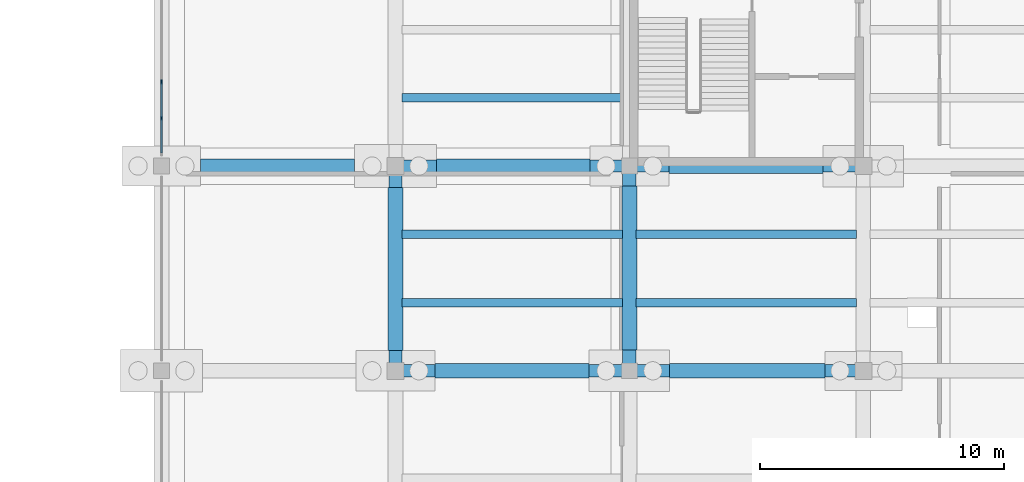
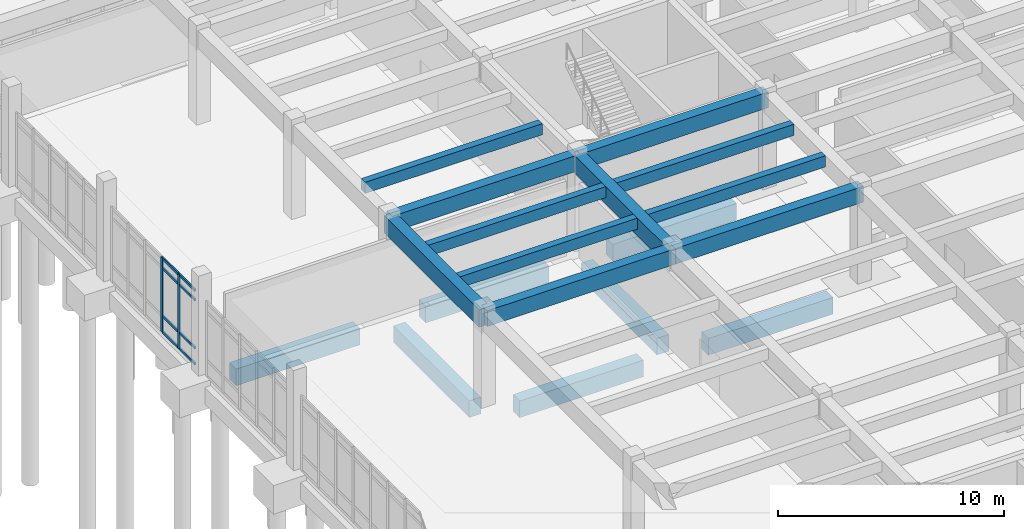
# One storey, part 46 of 102: 18 beams, 10 members, 1 element without a shape of its own.
"""IFC4 building model written with IfcOpenShell, lengths in metres."""

from ifc_helpers import new_model, si_unit, direction, frame, origin, origin_2d, place, context, subcontext, project, spatial, rectangle, extrude, material, layer, layer_set, material_profile, profile_set, type_object, element, aggregate, save


model = new_model("IFC4")

# Units and contexts
model_context = context("Model", 3, precision=1e-05, world=origin(), true_north=direction((0.0, 1.0)))
body_context = subcontext(model_context, "Body", "Model", "MODEL_VIEW")
ifc_project = project(units=[si_unit("LENGTHUNIT", "METRE"), si_unit("AREAUNIT", "SQUARE_METRE"), si_unit("VOLUMEUNIT", "CUBIC_METRE"), si_unit("PLANEANGLEUNIT", "RADIAN"), si_unit("MASSUNIT", "GRAM", prefix="KILO")], contexts=[model_context])

# Site, building, storey
site_placement = place(None, origin())
site = spatial("IfcSite", under=ifc_project, at=site_placement, CompositionType="ELEMENT")
building_placement = place(site_placement, origin())
building = spatial("IfcBuilding", under=site, at=building_placement, Name="Kolvemor Railside Polytechnic", CompositionType="ELEMENT")
storey_placement = place(building_placement, origin())
storey = spatial("IfcBuildingStorey", under=building, at=storey_placement, Name="L00", CompositionType="ELEMENT", Elevation=0.0)

# Beams
ifc_material_1 = material(Name="Concrete C40/50", Category="concrete")
ifc_material_profile_1 = material_profile(ifc_material_1, rectangle(XDim=0.550048828125, YDim=0.949951171875, at=origin_2d()), Name="RC550x950")
ifc_profile_set_1 = profile_set([ifc_material_profile_1], Name="Concrete C40/50")
beam_type_1 = type_object("IfcBeamType", Name="BM-RC-GIRD", PredefinedType="BEAM", material=ifc_profile_set_1)
for number, where, z_axis, x_axis, name in (
    (1, (144.0, 51.60009765625, 4.635009765625), (0.0, 1.0, 0.0), (-1.0, 0.0, 0.0), "Primary Girder L01-GY 0383"),
    (2, (153.60009765625, 51.60009765625, 4.635009765625), (0.0, 1.0, 0.0), (-1.0, 0.0, 0.0), "Primary Girder L01-GY 0392"),
):
    element("IfcBeam", number, at=place(storey_placement, frame(where, z_axis=z_axis, x_axis=x_axis)), inside=storey, type_object=beam_type_1, Name=name, PredefinedType="BEAM", context=body_context, shape_type="SweptSolid", body=[
        extrude(rectangle(XDim=0.550048828125, YDim=0.949951171875, at=origin_2d()), origin(), (0.0, 0.0, 1.0), 8.39990234375),
    ])
ifc_material_2 = material(Name="Concrete C40/50", Category="concrete")
ifc_material_profile_2 = material_profile(ifc_material_2, rectangle(XDim=0.5, YDim=0.85009765625, at=origin_2d()), Name="RC500x850")
ifc_profile_set_2 = profile_set([ifc_material_profile_2], Name="Concrete C40/50")
beam_type_2 = type_object("IfcBeamType", Name="BM-RC-GIRD3", PredefinedType="BEAM", material=ifc_profile_set_2)
beam_1_placement = place(storey_placement, frame((144.0, 51.60009765625, 4.68505859375), z_axis=(1.0, 0.0, 0.0), x_axis=(0.0, 1.0, 0.0)))
element("IfcBeam", 3, at=beam_1_placement, inside=storey, type_object=beam_type_2, Name="Primary Girder L01-GX 0358", PredefinedType="BEAM", context=body_context, shape_type="SweptSolid", body=[
    extrude(rectangle(XDim=0.5, YDim=0.85009765625, at=origin_2d()), origin(), (0.0, 0.0, 1.0), 9.60009765625),
])
beam_2_placement = place(storey_placement, frame((153.60009765625, 51.60009765625, 4.68505859375), z_axis=(1.0, 0.0, 0.0), x_axis=(0.0, 1.0, 0.0)))
element("IfcBeam", 4, at=beam_2_placement, inside=storey, type_object=beam_type_2, Name="Primary Girder L01-GX 0359", PredefinedType="BEAM", context=body_context, shape_type="SweptSolid", body=[
    extrude(rectangle(XDim=0.5, YDim=0.85009765625, at=origin_2d()), origin(), (0.0, 0.0, 1.0), 9.599853515625),
])
beam_3_placement = place(storey_placement, frame((144.0, 60.0, 4.68505859375), z_axis=(1.0, 0.0, 0.0), x_axis=(0.0, 1.0, 0.0)))
element("IfcBeam", 5, at=beam_3_placement, inside=storey, type_object=beam_type_2, Name="Primary Girder L01-GX 0362", PredefinedType="BEAM", context=body_context, shape_type="SweptSolid", body=[
    extrude(rectangle(XDim=0.5, YDim=0.85009765625, at=origin_2d()), origin(), (0.0, 0.0, 1.0), 9.60009765625),
])
beam_4_placement = place(storey_placement, frame((153.60009765625, 60.0, 4.68505859375), z_axis=(1.0, 0.0, 0.0), x_axis=(0.0, 1.0, 0.0)))
element("IfcBeam", 6, at=beam_4_placement, inside=storey, type_object=beam_type_2, Name="Primary Girder L01-GX 0363", PredefinedType="BEAM", context=body_context, shape_type="SweptSolid", body=[
    extrude(rectangle(XDim=0.5, YDim=0.85009765625, at=origin_2d()), origin(), (0.0, 0.0, 1.0), 9.599853515625),
])
ifc_material_3 = material(Name="Concrete C40/50", Category="concrete")
ifc_material_profile_3 = material_profile(ifc_material_3, rectangle(XDim=0.35009765625, YDim=0.60009765625, at=origin_2d()), Name="RC350x600")
ifc_profile_set_3 = profile_set([ifc_material_profile_3], Name="Concrete C40/50")
beam_type_3 = type_object("IfcBeamType", Name="BM-RC-SEC3", PredefinedType="JOIST", material=ifc_profile_set_3)
for number, where, z_axis, x_axis, name in (
    (7, (144.27490234375, 54.39990234375, 4.81005859375), (1.0, 0.0, 0.0), (0.0, 1.0, 0.0), "Floor Joist L01-J0433"),
    (8, (144.27490234375, 57.199951171875, 4.81005859375), (1.0, 0.0, 0.0), (0.0, 1.0, 0.0), "Floor Joist L01-J0434"),
    (9, (144.27490234375, 62.800048828125, 4.81005859375), (1.0, 0.0, 0.0), (0.0, 1.0, 0.0), "Floor Joist L01-J0435"),
    (10, (153.875, 54.39990234375, 4.81005859375), (1.0, 0.0, 0.0), (0.0, 1.0, 0.0), "Floor Joist L01-J0449"),
    (11, (153.875, 57.199951171875, 4.81005859375), (1.0, 0.0, 0.0), (0.0, 1.0, 0.0), "Floor Joist L01-J0450"),
):
    element("IfcBeam", number, at=place(storey_placement, frame(where, z_axis=z_axis, x_axis=x_axis)), inside=storey, type_object=beam_type_3, Name=name, PredefinedType="JOIST", context=body_context, shape_type="SweptSolid", body=[
        extrude(rectangle(XDim=0.35009765625, YDim=0.60009765625, at=origin_2d()), origin(), (0.0, 0.0, 1.0), 9.050048828125),
    ])
ifc_material_4 = material(Name="Concrete C40/50", Category="concrete")
ifc_material_profile_4 = material_profile(ifc_material_4, rectangle(XDim=0.60009765625, YDim=0.89990234375, at=origin_2d()), Name="RC600x900")
ifc_profile_set_4 = profile_set([ifc_material_profile_4], Name="Concrete C40/50")
beam_type_4 = type_object("IfcBeamType", Name="BM-RC-TIE", PredefinedType="BEAM", material=ifc_profile_set_4)
beam_5_placement = place(storey_placement, frame((145.626953125, 51.60009765625, -0.75), z_axis=(1.0, 0.0, 0.0), x_axis=(0.0, 1.0, 0.0)))
element("IfcBeam", 12, at=beam_5_placement, inside=storey, type_object=beam_type_4, Name="Ground Tie Beam GTB-X141", PredefinedType="BEAM", context=body_context, shape_type="SweptSolid", body=[
    extrude(rectangle(XDim=0.60009765625, YDim=0.89990234375, at=origin_2d()), origin(), (0.0, 0.0, 1.0), 6.321044921875),
])
beam_6_placement = place(storey_placement, frame((155.251953125, 51.60009765625, -0.75), z_axis=(1.0, 0.0, 0.0), x_axis=(0.0, 1.0, 0.0)))
element("IfcBeam", 13, at=beam_6_placement, inside=storey, type_object=beam_type_4, Name="Ground Tie Beam GTB-X142", PredefinedType="BEAM", context=body_context, shape_type="SweptSolid", body=[
    extrude(rectangle(XDim=0.60009765625, YDim=0.89990234375, at=origin_2d()), origin(), (0.0, 0.0, 1.0), 6.37109375),
])
beam_7_placement = place(storey_placement, frame((136.001953125, 60.0, -0.75), z_axis=(1.0, 0.0, 0.0), x_axis=(0.0, 1.0, 0.0)))
element("IfcBeam", 14, at=beam_7_placement, inside=storey, type_object=beam_type_4, Name="Ground Tie Beam GTB-X150", PredefinedType="BEAM", context=body_context, shape_type="SweptSolid", body=[
    extrude(rectangle(XDim=0.60009765625, YDim=0.89990234375, at=origin_2d()), origin(), (0.0, 0.0, 1.0), 6.321044921875),
])
beam_8_placement = place(storey_placement, frame((145.677001953125, 60.0, -0.75), z_axis=(1.0, 0.0, 0.0), x_axis=(0.0, 1.0, 0.0)))
element("IfcBeam", 15, at=beam_8_placement, inside=storey, type_object=beam_type_4, Name="Ground Tie Beam GTB-X151", PredefinedType="BEAM", context=body_context, shape_type="SweptSolid", body=[
    extrude(rectangle(XDim=0.60009765625, YDim=0.89990234375, at=origin_2d()), origin(), (0.0, 0.0, 1.0), 6.2958984375),
])
beam_9_placement = place(storey_placement, frame((155.22705078125, 60.0, -0.75), z_axis=(1.0, 0.0, 0.0), x_axis=(0.0, 1.0, 0.0)))
element("IfcBeam", 16, at=beam_9_placement, inside=storey, type_object=beam_type_4, Name="Ground Tie Beam GTB-X152", PredefinedType="BEAM", context=body_context, shape_type="SweptSolid", body=[
    extrude(rectangle(XDim=0.60009765625, YDim=0.89990234375, at=origin_2d()), origin(), (0.0, 0.0, 1.0), 6.321044921875),
])
beam_10_placement = place(storey_placement, frame((144.0, 52.427001953125, -0.75), z_axis=(0.0, 1.0, 0.0), x_axis=(-1.0, 0.0, 0.0)))
element("IfcBeam", 17, at=beam_10_placement, inside=storey, type_object=beam_type_4, Name="Ground Tie Beam GTB-Y397", PredefinedType="BEAM", context=body_context, shape_type="SweptSolid", body=[
    extrude(rectangle(XDim=0.60009765625, YDim=0.89990234375, at=origin_2d()), origin(), (0.0, 0.0, 1.0), 6.696044921875),
])
beam_11_placement = place(storey_placement, frame((153.60009765625, 52.451904296875, -0.75), z_axis=(0.0, 1.0, 0.0), x_axis=(-1.0, 0.0, 0.0)))
element("IfcBeam", 18, at=beam_11_placement, inside=storey, type_object=beam_type_4, Name="Ground Tie Beam GTB-Y410", PredefinedType="BEAM", context=body_context, shape_type="SweptSolid", body=[
    extrude(rectangle(XDim=0.60009765625, YDim=0.89990234375, at=origin_2d()), origin(), (0.0, 0.0, 1.0), 6.72119140625),
])

# Curtain wall, members
ifc_material_5 = material(Name="Anodised marine aluminium and laminated low-E glass", Category="aluminium")
ifc_layer = layer(ifc_material_5, 0.179931640625, Name="CW-UNIT-STD")
ifc_layer_set = layer_set([ifc_layer], Name="Anodised marine aluminium and laminated low-E glass")
curtain_wall_type = type_object("IfcCurtainWallType", Name="CW-UNIT-STD", PredefinedType="USERDEFINED", material=ifc_layer_set)
curtain_wall_placement = place(storey_placement, origin())
curtain_wall = element("IfcCurtainWall", 19, at=curtain_wall_placement, inside=storey, type_object=curtain_wall_type, Name="Curtain Wall L00-079", ObjectType="UNITISED CURTAIN WALL", PredefinedType="USERDEFINED")
ifc_material_6 = material(Name="Anodised marine aluminium 6063-T6", Category="aluminium")
ifc_material_profile_5 = material_profile(ifc_material_6, rectangle(XDim=0.074951171875, YDim=0.179931640625, at=origin_2d()), Name="CW-MUL-75x180")
ifc_profile_set_5 = profile_set([ifc_material_profile_5], Name="Anodised marine aluminium 6063-T6")
member_type_1 = type_object("IfcMemberType", Name="CWM-75x180", PredefinedType="MULLION", material=ifc_profile_set_5)
member_1_placement = place(storey_placement, frame((134.39990234375, 63.4541015625, 0.0), z_axis=(0.0, 0.0, 1.0), x_axis=(1.0, 0.0, 0.0)))
member_1 = element("IfcMember", 20, at=member_1_placement, type_object=member_type_1, Name="CW-STD mullion 4", PredefinedType="MULLION", context=body_context, shape_type="SweptSolid", body=[
    extrude(rectangle(XDim=0.074951171875, YDim=0.179931640625, at=origin_2d()), origin(), (0.0, 0.0, 1.0), 4.0400390625),
])
member_2_placement = place(storey_placement, frame((134.39990234375, 61.9619140625, 0.0), z_axis=(0.0, 0.0, 1.0), x_axis=(1.0, 0.0, 0.0)))
member_2 = element("IfcMember", 21, at=member_2_placement, type_object=member_type_1, Name="CW-STD mullion 5", PredefinedType="MULLION", context=body_context, shape_type="SweptSolid", body=[
    extrude(rectangle(XDim=0.074951171875, YDim=0.179931640625, at=origin_2d()), origin(), (0.0, 0.0, 1.0), 4.0400390625),
])
ifc_material_7 = material(Name="Anodised marine aluminium 6063-T6", Category="aluminium")
ifc_material_profile_6 = material_profile(ifc_material_7, rectangle(XDim=0.074951171875, YDim=0.139892578125, at=origin_2d()), Name="CW-TRN-75x140")
ifc_profile_set_6 = profile_set([ifc_material_profile_6], Name="Anodised marine aluminium 6063-T6")
member_type_2 = type_object("IfcMemberType", Name="CWT-75x140", PredefinedType="USERDEFINED", material=ifc_profile_set_6)
member_3_placement = place(storey_placement, frame((134.39990234375, 63.41650390625, 0.03759765625), z_axis=(0.0, -1.0, 0.0), x_axis=(1.0, 0.0, 0.0)))
member_3 = element("IfcMember", 22, at=member_3_placement, type_object=member_type_2, Name="CW-STD transom 4.1", ObjectType="TRANSOM", PredefinedType="USERDEFINED", context=body_context, shape_type="SweptSolid", body=[
    extrude(rectangle(XDim=0.074951171875, YDim=0.139892578125, at=origin_2d()), origin(), (0.0, 0.0, 1.0), 1.4169921875),
])
member_4_placement = place(storey_placement, frame((134.39990234375, 63.41650390625, 0.89990234375), z_axis=(0.0, -1.0, 0.0), x_axis=(1.0, 0.0, 0.0)))
member_4 = element("IfcMember", 23, at=member_4_placement, type_object=member_type_2, Name="CW-STD transom 4.2", ObjectType="TRANSOM", PredefinedType="USERDEFINED", context=body_context, shape_type="SweptSolid", body=[
    extrude(rectangle(XDim=0.074951171875, YDim=0.139892578125, at=origin_2d()), origin(), (0.0, 0.0, 1.0), 1.4169921875),
])
member_5_placement = place(storey_placement, frame((134.39990234375, 63.41650390625, 3.489990234375), z_axis=(0.0, -1.0, 0.0), x_axis=(1.0, 0.0, 0.0)))
member_5 = element("IfcMember", 24, at=member_5_placement, type_object=member_type_2, Name="CW-STD transom 4.3", ObjectType="TRANSOM", PredefinedType="USERDEFINED", context=body_context, shape_type="SweptSolid", body=[
    extrude(rectangle(XDim=0.074951171875, YDim=0.139892578125, at=origin_2d()), origin(), (0.0, 0.0, 1.0), 1.4169921875),
])
member_6_placement = place(storey_placement, frame((134.39990234375, 63.41650390625, 4.00244140625), z_axis=(0.0, -1.0, 0.0), x_axis=(1.0, 0.0, 0.0)))
member_6 = element("IfcMember", 25, at=member_6_placement, type_object=member_type_2, Name="CW-STD transom 4.4", ObjectType="TRANSOM", PredefinedType="USERDEFINED", context=body_context, shape_type="SweptSolid", body=[
    extrude(rectangle(XDim=0.074951171875, YDim=0.139892578125, at=origin_2d()), origin(), (0.0, 0.0, 1.0), 1.4169921875),
])
member_7_placement = place(storey_placement, frame((134.39990234375, 61.924560546875, 0.03759765625), z_axis=(0.0, -1.0, 0.0), x_axis=(1.0, 0.0, 0.0)))
member_7 = element("IfcMember", 26, at=member_7_placement, type_object=member_type_2, Name="CW-STD transom 5.1", ObjectType="TRANSOM", PredefinedType="USERDEFINED", context=body_context, shape_type="SweptSolid", body=[
    extrude(rectangle(XDim=0.074951171875, YDim=0.139892578125, at=origin_2d()), origin(), (0.0, 0.0, 1.0), 1.379638671875),
])
member_8_placement = place(storey_placement, frame((134.39990234375, 61.924560546875, 0.89990234375), z_axis=(0.0, -1.0, 0.0), x_axis=(1.0, 0.0, 0.0)))
member_8 = element("IfcMember", 27, at=member_8_placement, type_object=member_type_2, Name="CW-STD transom 5.2", ObjectType="TRANSOM", PredefinedType="USERDEFINED", context=body_context, shape_type="SweptSolid", body=[
    extrude(rectangle(XDim=0.074951171875, YDim=0.139892578125, at=origin_2d()), origin(), (0.0, 0.0, 1.0), 1.379638671875),
])
member_9_placement = place(storey_placement, frame((134.39990234375, 61.924560546875, 3.489990234375), z_axis=(0.0, -1.0, 0.0), x_axis=(1.0, 0.0, 0.0)))
member_9 = element("IfcMember", 28, at=member_9_placement, type_object=member_type_2, Name="CW-STD transom 5.3", ObjectType="TRANSOM", PredefinedType="USERDEFINED", context=body_context, shape_type="SweptSolid", body=[
    extrude(rectangle(XDim=0.074951171875, YDim=0.139892578125, at=origin_2d()), origin(), (0.0, 0.0, 1.0), 1.379638671875),
])
member_10_placement = place(storey_placement, frame((134.39990234375, 61.924560546875, 4.00244140625), z_axis=(0.0, -1.0, 0.0), x_axis=(1.0, 0.0, 0.0)))
member_10 = element("IfcMember", 29, at=member_10_placement, type_object=member_type_2, Name="CW-STD transom 5.4", ObjectType="TRANSOM", PredefinedType="USERDEFINED", context=body_context, shape_type="SweptSolid", body=[
    extrude(rectangle(XDim=0.074951171875, YDim=0.139892578125, at=origin_2d()), origin(), (0.0, 0.0, 1.0), 1.379638671875),
])
aggregate(curtain_wall, [member_1, member_2, member_3, member_4, member_5, member_6, member_7, member_8, member_9, member_10])

save(model, "model.ifc")
